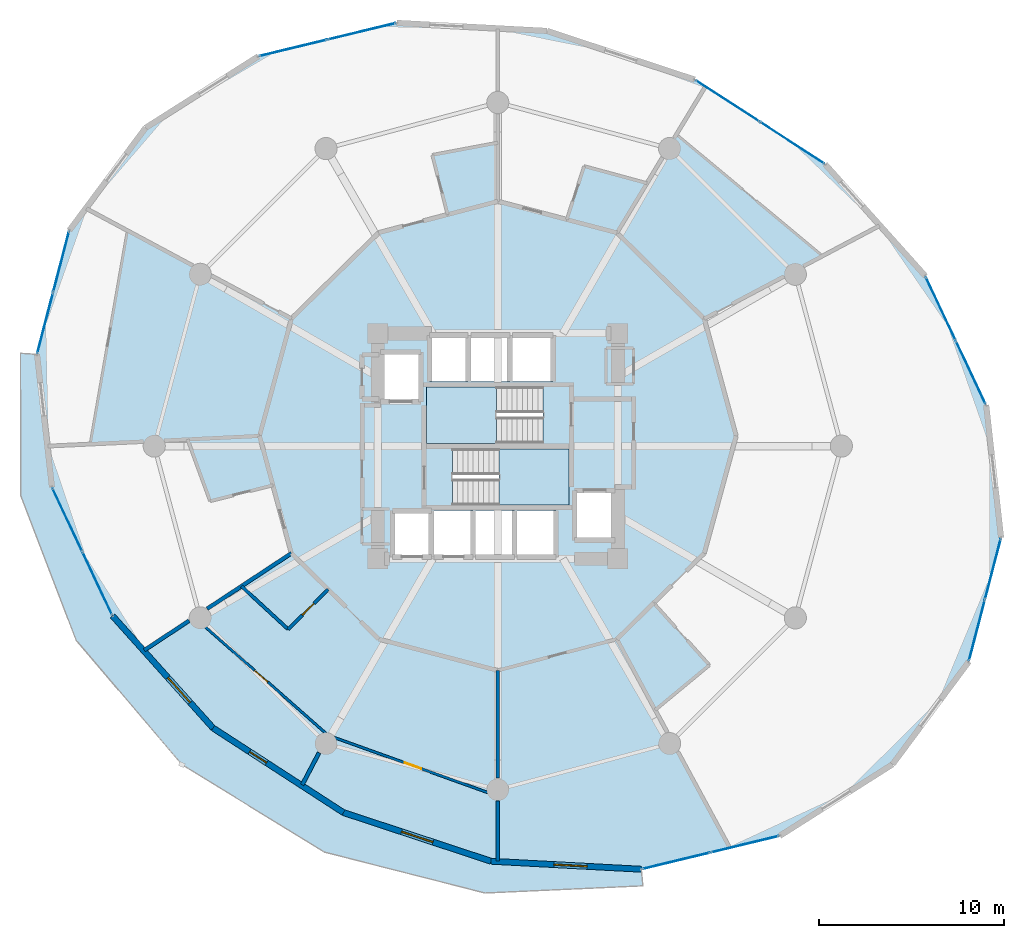
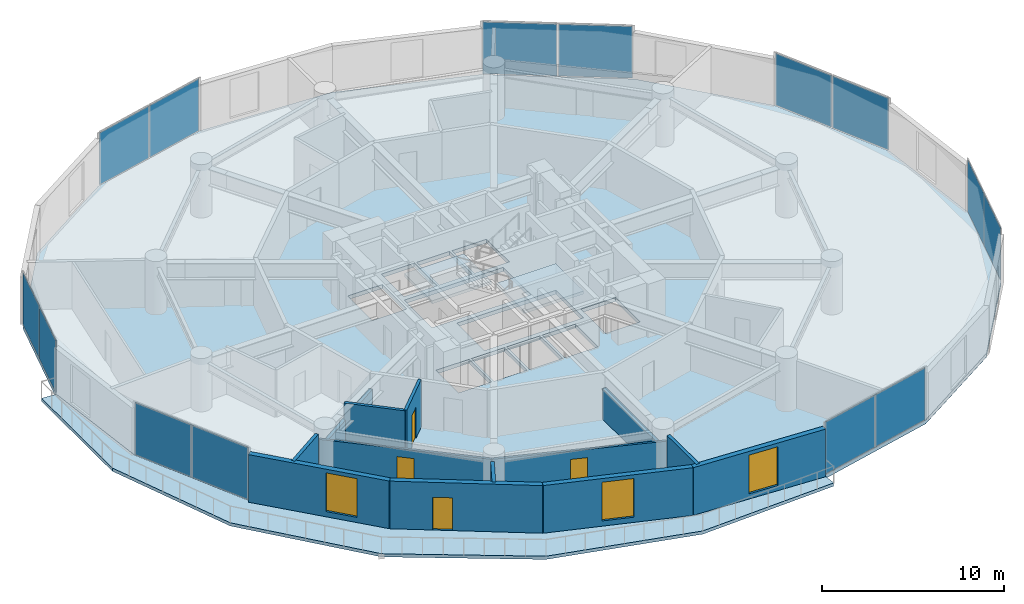
# One storey, part 18 of 24: 14 plates, 13 walls, 4 doors, 4 slabs, 3 windows, 7 openings, 9 elements without a shape of their own.
"""IFC4 building model written with IfcOpenShell, lengths in metres."""

from ifc_helpers import new_model, si_unit, direction, frame, frame_2d, origin, origin_2d, place, context, subcontext, project, spatial, polyline, rectangle, outline, extrude, source, transform, mapped, material, layer, layer_set, type_object, element, fill, aggregate, save


model = new_model("IFC4")

# Units and contexts
model_context = context("Model", 3, precision=1e-05, world=origin(), true_north=direction((0.0, 1.0)))
body_context = subcontext(model_context, "Body", "Model", "MODEL_VIEW")
ifc_project = project(units=[si_unit("LENGTHUNIT", "METRE"), si_unit("AREAUNIT", "SQUARE_METRE"), si_unit("VOLUMEUNIT", "CUBIC_METRE"), si_unit("PLANEANGLEUNIT", "RADIAN"), si_unit("MASSUNIT", "GRAM", prefix="KILO")], contexts=[model_context])

# Site, building, storey
site_placement = place(None, origin())
site = spatial("IfcSite", under=ifc_project, at=site_placement, CompositionType="ELEMENT")
building_placement = place(site_placement, origin())
building = spatial("IfcBuilding", under=site, at=building_placement, Name="Solvirekh Grand Hotel", CompositionType="ELEMENT")
storey_placement = place(building_placement, frame((0.0, 0.0, 89.60009765625)))
storey = spatial("IfcBuildingStorey", under=building, at=storey_placement, Name="L22", CompositionType="ELEMENT", Elevation=89.60009765625)

# Slab
ifc_material_1 = material(Name="Concrete C50/60", Category="concrete")
ifc_layer_1 = layer(ifc_material_1, 0.215087890625)
ifc_layer_set_1 = layer_set([ifc_layer_1], Name="Concrete C50/60")
slab_type_1 = type_object("IfcSlabType", Name="ExtCrescentBalc_215", PredefinedType="FLOOR", material=ifc_layer_set_1)
slab_1_placement = place(storey_placement, frame((0.0, 0.0, -0.215087890625)))
element("IfcSlab", 1, at=slab_1_placement, inside=storey, type_object=slab_type_1, Name="L22 sweeping crescent balcony slab", PredefinedType="FLOOR", context=body_context, shape_type="SweptSolid", body=[
    extrude(outline(polyline([(-25.843017578125, 5.02490234375), (-25.818115234375, -2.7099609375), (-22.824951171875, -10.512939453125), (-17.10107421875, -17.242919921875), (-9.381103515625, -21.97998046875), (-0.693115234375, -24.194091796875), (7.85107421875, -23.804931640625), (7.77197265625, -22.907958984375), (-0.365966796875, -22.47412109375), (-8.35595703125, -19.840087890625), (-15.4150390625, -15.263916015625), (-20.85302734375, -9.194091796875), (-24.136962890625, -2.22412109375), (-24.945068359375, 4.964111328125), (-25.843017578125, 5.02490234375)])), origin(), (0.0, 0.0, 1.0), 0.215087890625),
])

# Stair, slab
ifc_material_2 = material(Name="Concrete C40/50", Category="concrete")
stair_type = type_object("IfcStairType", Name="Stair_Core_1450", PredefinedType="HALF_TURN_STAIR", material=ifc_material_2)
stair_1_placement = place(storey_placement, origin())
stair_1 = element("IfcStair", 2, at=stair_1_placement, inside=storey, type_object=stair_type, Name="L22 Enclosed exit stair ST-1", PredefinedType="HALF_TURN_STAIR")
ifc_layer_2 = layer(ifc_material_2, 0.199951171875)
ifc_layer_set_2 = layer_set([ifc_layer_2], Name="Concrete C40/50")
slab_type_2 = type_object("IfcSlabType", Name="Landing_Stair_200", PredefinedType="LANDING", material=ifc_layer_set_2)
slab_2_placement = place(storey_placement, frame((0.0, 0.0, 1.599853515625)))
slab_2 = element("IfcSlab", 3, at=slab_2_placement, type_object=slab_type_2, Name="ST-1 landing 1", PredefinedType="LANDING", context=body_context, shape_type="SweptSolid", body=[
    extrude(outline(polyline([(0.070068359375, -3.199951171875), (3.85009765625, -3.199951171875), (3.85009765625, -0.14990234375), (0.070068359375, -0.14990234375), (0.070068359375, -3.199951171875)])), origin(), (0.0, 0.0, 1.0), 0.199951171875),
])
aggregate(stair_1, [slab_2])

stair_2_placement = place(storey_placement, origin())
stair_2 = element("IfcStair", 4, at=stair_2_placement, inside=storey, type_object=stair_type, Name="L22 Enclosed exit stair ST-2", PredefinedType="HALF_TURN_STAIR")
slab_3_placement = place(storey_placement, frame((0.0, 0.0, 1.599853515625)))
slab_3 = element("IfcSlab", 5, at=slab_3_placement, type_object=slab_type_2, Name="ST-2 landing 1", PredefinedType="LANDING", context=body_context, shape_type="SweptSolid", body=[
    extrude(outline(polyline([(-0.070068359375, 3.199951171875), (-3.85009765625, 3.199951171875), (-3.85009765625, 0.14990234375), (-0.070068359375, 0.14990234375), (-0.070068359375, 3.199951171875)])), origin(), (0.0, 0.0, 1.0), 0.199951171875),
])
aggregate(stair_2, [slab_3])

# Slab
ifc_layer_3 = layer(ifc_material_1, 0.260009765625)
ifc_layer_set_3 = layer_set([ifc_layer_3], Name="Concrete C50/60")
slab_type_3 = type_object("IfcSlabType", Name="Slab_GuestZ1_260", PredefinedType="FLOOR", material=ifc_layer_set_3)
slab_4_placement = place(storey_placement, frame((0.0, 0.0, -0.260009765625)))
element("IfcSlab", 6, at=slab_4_placement, inside=storey, type_object=slab_type_3, Name="L22 structural floor slab", PredefinedType="FLOOR", context=body_context, shape_type="SweptSolid", body=[
    extrude(outline(polyline([(25.4990234375, -11.666015625), (27.2451171875, -4.964111328125), (26.43701171875, 2.22412109375), (23.153076171875, 9.194091796875), (17.715087890625, 15.263916015625), (10.656005859375, 19.840087890625), (2.666015625, 22.47412109375), (-5.471923828125, 22.907958984375), (-12.9619140625, 21.10009765625), (-19.070068359375, 17.22607421875), (-23.198974609375, 11.666015625), (-24.945068359375, 4.964111328125), (-24.136962890625, -2.22412109375), (-20.85302734375, -9.194091796875), (-15.4150390625, -15.263916015625), (-8.35595703125, -19.840087890625), (-0.365966796875, -22.47412109375), (7.77197265625, -22.907958984375), (15.261962890625, -21.10009765625), (21.3701171875, -17.22607421875), (25.4990234375, -11.666015625)]), holes=[polyline([(-2.444091796875, -0.14990234375), (3.85009765625, -0.14990234375), (3.85009765625, -3.199951171875), (-2.444091796875, -3.199951171875), (-2.444091796875, -0.14990234375)]), polyline([(2.444091796875, 0.14990234375), (-3.85009765625, 0.14990234375), (-3.85009765625, 3.199951171875), (2.444091796875, 3.199951171875), (2.444091796875, 0.14990234375)]), polyline([(-5.699951171875, -3.5), (-3.60009765625, -3.5), (-3.60009765625, -6.0), (-5.699951171875, -6.0), (-5.699951171875, -3.5)]), polyline([(-3.449951171875, -3.5), (-1.35009765625, -3.5), (-1.35009765625, -6.0), (-3.449951171875, -6.0), (-3.449951171875, -3.5)]), polyline([(-1.199951171875, -3.5), (0.89990234375, -3.5), (0.89990234375, -6.0), (-1.199951171875, -6.0), (-1.199951171875, -3.5)]), polyline([(1.050048828125, -3.5), (3.14990234375, -3.5), (3.14990234375, -6.0), (1.050048828125, -6.0), (1.050048828125, -3.5)]), polyline([(-3.699951171875, 6.0), (-1.60009765625, 6.0), (-1.60009765625, 3.5), (-3.699951171875, 3.5), (-3.699951171875, 6.0)]), polyline([(-1.449951171875, 6.0), (0.64990234375, 6.0), (0.64990234375, 3.5), (-1.449951171875, 3.5), (-1.449951171875, 6.0)]), polyline([(0.800048828125, 6.0), (3.0, 6.0), (3.0, 3.5), (0.800048828125, 3.5), (0.800048828125, 6.0)]), polyline([(-6.35009765625, 5.10009765625), (-4.14990234375, 5.10009765625), (-4.14990234375, 2.39990234375), (-6.35009765625, 2.39990234375), (-6.35009765625, 5.10009765625)]), polyline([(4.14990234375, -2.39990234375), (6.35009765625, -2.39990234375), (6.35009765625, -5.10009765625), (4.14990234375, -5.10009765625), (4.14990234375, -2.39990234375)])]), origin(), (0.0, 0.0, 1.0), 0.260009765625),
])

# Curtain wall, plates
ifc_material_3 = material(Name="Anodized Bronze Aluminium 6063-T6", Category="aluminium")
ifc_layer_4 = layer(ifc_material_3, 0.18994140625)
ifc_layer_set_4 = layer_set([ifc_layer_4], Name="Anodized Bronze Aluminium 6063-T6")
curtain_wall_type = type_object("IfcCurtainWallType", Name="CW_Sys2_LowZoneFlushBronzeCW", PredefinedType="NOTDEFINED", material=ifc_layer_set_4)
curtain_wall_1_placement = place(storey_placement, origin())
curtain_wall_1 = element("IfcCurtainWall", 7, at=curtain_wall_1_placement, inside=storey, type_object=curtain_wall_type, Name="L22 unitised bronze-glass curtain wall CW-L22-C03", PredefinedType="NOTDEFINED")
ifc_material_4 = material(Name="Low-E Tinted Bronze Laminated Glass", Category="aluminium")
ifc_layer_5 = layer(ifc_material_4, 0.0380859375)
ifc_layer_set_5 = layer_set([ifc_layer_5], Name="Low-E Tinted Bronze Laminated Glass")
plate_type = type_object("IfcPlateType", Name="CWPanel_Low_38", PredefinedType="CURTAIN_PANEL", material=ifc_layer_set_5)
shared_shape_1 = source(origin(), body_context, "Body", "SweptSolid", [
    extrude(rectangle(XDim=3.74755859375, YDim=0.0380859375, at=origin_2d()), origin(), (0.0, 0.0, 1.0), 3.47998046875),
])
plate_1_placement = place(storey_placement, frame((25.608642578125, 3.982421875, 0.059814453125), z_axis=(0.0, 0.0, 1.0), x_axis=(-0.426222015702, 0.904618589977, 0.0)))
plate_1 = element("IfcPlate", 8, at=plate_1_placement, type_object=plate_type, Name="U02 panel 1.1", PredefinedType="CURTAIN_PANEL", context=body_context, shape_type="MappedRepresentation", body=[
    mapped(shared_shape_1, transform((0.0, 0.0, 0.0), x_axis=(1.0, 0.0, 0.0), y_axis=(0.0, 1.0, 0.0), z_axis=(0.0, 0.0, 1.0), scale=1.0)),
])
plate_2_placement = place(storey_placement, frame((23.9814453125, 7.435791015625, 0.059814453125), z_axis=(0.0, 0.0, 1.0), x_axis=(-0.426222015702, 0.904618589977, 0.0)))
plate_2 = element("IfcPlate", 9, at=plate_2_placement, type_object=plate_type, Name="U02 panel 2.1", PredefinedType="CURTAIN_PANEL", context=body_context, shape_type="MappedRepresentation", body=[
    mapped(shared_shape_1, transform((0.0, 0.0, 0.0), x_axis=(1.0, 0.0, 0.0), y_axis=(0.0, 1.0, 0.0), z_axis=(0.0, 0.0, 1.0), scale=1.0)),
])
aggregate(curtain_wall_1, [plate_1, plate_2])

curtain_wall_2_placement = place(storey_placement, origin())
curtain_wall_2 = element("IfcCurtainWall", 10, at=curtain_wall_2_placement, inside=storey, type_object=curtain_wall_type, Name="L22 unitised bronze-glass curtain wall CW-L22-C08", PredefinedType="NOTDEFINED")
plate_3_placement = place(storey_placement, frame((-7.361572265625, 22.451904296875, 0.059814453125), z_axis=(0.0, 0.0, 1.0), x_axis=(-0.972080166994, -0.234648990915, 0.0)))
plate_3 = element("IfcPlate", 11, at=plate_3_placement, type_object=plate_type, Name="U02 panel 1.1", PredefinedType="CURTAIN_PANEL", context=body_context, shape_type="MappedRepresentation", body=[
    mapped(shared_shape_1, transform((0.0, 0.0, 0.0), x_axis=(1.0, 0.0, 0.0), y_axis=(0.0, 1.0, 0.0), z_axis=(0.0, 0.0, 1.0), scale=1.0)),
])
plate_4_placement = place(storey_placement, frame((-11.072509765625, 21.55615234375, 0.059814453125), z_axis=(0.0, 0.0, 1.0), x_axis=(-0.972080166994, -0.234648990915, 0.0)))
plate_4 = element("IfcPlate", 12, at=plate_4_placement, type_object=plate_type, Name="U02 panel 2.1", PredefinedType="CURTAIN_PANEL", context=body_context, shape_type="MappedRepresentation", body=[
    mapped(shared_shape_1, transform((0.0, 0.0, 0.0), x_axis=(1.0, 0.0, 0.0), y_axis=(0.0, 1.0, 0.0), z_axis=(0.0, 0.0, 1.0), scale=1.0)),
])
aggregate(curtain_wall_2, [plate_3, plate_4])

curtain_wall_3_placement = place(storey_placement, origin())
curtain_wall_3 = element("IfcCurtainWall", 13, at=curtain_wall_3_placement, inside=storey, type_object=curtain_wall_type, Name="L22 unitised bronze-glass curtain wall CW-L22-C13", PredefinedType="NOTDEFINED")
plate_5_placement = place(storey_placement, frame((-23.30859375, -3.982421875, 0.059814453125), z_axis=(0.0, 0.0, 1.0), x_axis=(0.426222015702, -0.904618589977, 0.0)))
plate_5 = element("IfcPlate", 14, at=plate_5_placement, type_object=plate_type, Name="U02 panel 1.1", PredefinedType="CURTAIN_PANEL", context=body_context, shape_type="MappedRepresentation", body=[
    mapped(shared_shape_1, transform((0.0, 0.0, 0.0), x_axis=(1.0, 0.0, 0.0), y_axis=(0.0, 1.0, 0.0), z_axis=(0.0, 0.0, 1.0), scale=1.0)),
])
plate_6_placement = place(storey_placement, frame((-21.681396484375, -7.435791015625, 0.059814453125), z_axis=(0.0, 0.0, 1.0), x_axis=(0.426222015702, -0.904618589977, 0.0)))
plate_6 = element("IfcPlate", 15, at=plate_6_placement, type_object=plate_type, Name="U02 panel 2.1", PredefinedType="CURTAIN_PANEL", context=body_context, shape_type="MappedRepresentation", body=[
    mapped(shared_shape_1, transform((0.0, 0.0, 0.0), x_axis=(1.0, 0.0, 0.0), y_axis=(0.0, 1.0, 0.0), z_axis=(0.0, 0.0, 1.0), scale=1.0)),
])
aggregate(curtain_wall_3, [plate_5, plate_6])

curtain_wall_4_placement = place(storey_placement, origin())
curtain_wall_4 = element("IfcCurtainWall", 16, at=curtain_wall_4_placement, inside=storey, type_object=curtain_wall_type, Name="L22 unitised bronze-glass curtain wall CW-L22-C18", PredefinedType="NOTDEFINED")
plate_7_placement = place(storey_placement, frame((9.66162109375, -22.451904296875, 0.059814453125), z_axis=(0.0, 0.0, 1.0), x_axis=(0.972080166994, 0.234648990915, 0.0)))
plate_7 = element("IfcPlate", 17, at=plate_7_placement, type_object=plate_type, Name="U02 panel 1.1", PredefinedType="CURTAIN_PANEL", context=body_context, shape_type="MappedRepresentation", body=[
    mapped(shared_shape_1, transform((0.0, 0.0, 0.0), x_axis=(1.0, 0.0, 0.0), y_axis=(0.0, 1.0, 0.0), z_axis=(0.0, 0.0, 1.0), scale=1.0)),
])
plate_8_placement = place(storey_placement, frame((13.37255859375, -21.55615234375, 0.059814453125), z_axis=(0.0, 0.0, 1.0), x_axis=(0.972080166994, 0.234648990915, 0.0)))
plate_8 = element("IfcPlate", 18, at=plate_8_placement, type_object=plate_type, Name="U02 panel 2.1", PredefinedType="CURTAIN_PANEL", context=body_context, shape_type="MappedRepresentation", body=[
    mapped(shared_shape_1, transform((0.0, 0.0, 0.0), x_axis=(1.0, 0.0, 0.0), y_axis=(0.0, 1.0, 0.0), z_axis=(0.0, 0.0, 1.0), scale=1.0)),
])
aggregate(curtain_wall_4, [plate_7, plate_8])

curtain_wall_5_placement = place(storey_placement, origin())
curtain_wall_5 = element("IfcCurtainWall", 19, at=curtain_wall_5_placement, inside=storey, type_object=curtain_wall_type, Name="L22 unitised bronze-glass curtain wall CW-L22-C01", PredefinedType="NOTDEFINED")
shared_shape_2 = source(origin(), body_context, "Body", "SweptSolid", [
    extrude(rectangle(XDim=3.35791015625, YDim=0.0380859375, at=origin_2d()), origin(), (0.0, 0.0, 1.0), 3.47998046875),
])
plate_9_placement = place(storey_placement, frame((25.93994140625, -9.9736328125, 0.059814453125), z_axis=(0.0, 0.0, 1.0), x_axis=(0.252104481701, 0.967700020826, 0.0)))
plate_9 = element("IfcPlate", 20, at=plate_9_placement, type_object=plate_type, Name="U02 panel 1.1", PredefinedType="CURTAIN_PANEL", context=body_context, shape_type="MappedRepresentation", body=[
    mapped(shared_shape_2, transform((0.0, 0.0, 0.0), x_axis=(1.0, 0.0, 0.0), y_axis=(0.0, 1.0, 0.0), z_axis=(0.0, 0.0, 1.0), scale=1.0)),
])
plate_10_placement = place(storey_placement, frame((26.80419921875, -6.656494140625, 0.059814453125), z_axis=(0.0, 0.0, 1.0), x_axis=(0.252104481701, 0.967700020826, 0.0)))
plate_10 = element("IfcPlate", 21, at=plate_10_placement, type_object=plate_type, Name="U02 panel 2.1", PredefinedType="CURTAIN_PANEL", context=body_context, shape_type="MappedRepresentation", body=[
    mapped(shared_shape_2, transform((0.0, 0.0, 0.0), x_axis=(1.0, 0.0, 0.0), y_axis=(0.0, 1.0, 0.0), z_axis=(0.0, 0.0, 1.0), scale=1.0)),
])
aggregate(curtain_wall_5, [plate_9, plate_10])

curtain_wall_6_placement = place(storey_placement, origin())
curtain_wall_6 = element("IfcCurtainWall", 22, at=curtain_wall_6_placement, inside=storey, type_object=curtain_wall_type, Name="L22 unitised bronze-glass curtain wall CW-L22-C11", PredefinedType="NOTDEFINED")
plate_11_placement = place(storey_placement, frame((-23.639892578125, 9.9736328125, 0.059814453125), z_axis=(0.0, 0.0, 1.0), x_axis=(-0.252104481701, -0.967700020826, 0.0)))
plate_11 = element("IfcPlate", 23, at=plate_11_placement, type_object=plate_type, Name="U02 panel 1.1", PredefinedType="CURTAIN_PANEL", context=body_context, shape_type="MappedRepresentation", body=[
    mapped(shared_shape_2, transform((0.0, 0.0, 0.0), x_axis=(1.0, 0.0, 0.0), y_axis=(0.0, 1.0, 0.0), z_axis=(0.0, 0.0, 1.0), scale=1.0)),
])
plate_12_placement = place(storey_placement, frame((-24.504150390625, 6.656494140625, 0.059814453125), z_axis=(0.0, 0.0, 1.0), x_axis=(-0.252104481701, -0.967700020826, 0.0)))
plate_12 = element("IfcPlate", 24, at=plate_12_placement, type_object=plate_type, Name="U02 panel 2.1", PredefinedType="CURTAIN_PANEL", context=body_context, shape_type="MappedRepresentation", body=[
    mapped(shared_shape_2, transform((0.0, 0.0, 0.0), x_axis=(1.0, 0.0, 0.0), y_axis=(0.0, 1.0, 0.0), z_axis=(0.0, 0.0, 1.0), scale=1.0)),
])
aggregate(curtain_wall_6, [plate_11, plate_12])

curtain_wall_7_placement = place(storey_placement, origin())
curtain_wall_7 = element("IfcCurtainWall", 25, at=curtain_wall_7_placement, inside=storey, type_object=curtain_wall_type, Name="L22 unitised bronze-glass curtain wall CW-L22-C05", PredefinedType="NOTDEFINED")
shared_shape_3 = source(origin(), body_context, "Body", "SweptSolid", [
    extrude(rectangle(XDim=4.101318359375, YDim=0.0380859375, at=origin_2d()), origin(), (0.0, 0.0, 1.0), 3.47998046875),
])
plate_13_placement = place(storey_placement, frame((15.935546875, 16.41748046875, 0.059814453125), z_axis=(0.0, 0.0, 1.0), x_axis=(-0.839113800713, 0.543955907637, 0.0)))
plate_13 = element("IfcPlate", 26, at=plate_13_placement, type_object=plate_type, Name="U02 panel 1.1", PredefinedType="CURTAIN_PANEL", context=body_context, shape_type="MappedRepresentation", body=[
    mapped(shared_shape_3, transform((0.0, 0.0, 0.0), x_axis=(1.0, 0.0, 0.0), y_axis=(0.0, 1.0, 0.0), z_axis=(0.0, 0.0, 1.0), scale=1.0)),
])
plate_14_placement = place(storey_placement, frame((12.435546875, 18.6865234375, 0.059814453125), z_axis=(0.0, 0.0, 1.0), x_axis=(-0.839113800713, 0.543955907637, 0.0)))
plate_14 = element("IfcPlate", 27, at=plate_14_placement, type_object=plate_type, Name="U02 panel 2.1", PredefinedType="CURTAIN_PANEL", context=body_context, shape_type="MappedRepresentation", body=[
    mapped(shared_shape_3, transform((0.0, 0.0, 0.0), x_axis=(1.0, 0.0, 0.0), y_axis=(0.0, 1.0, 0.0), z_axis=(0.0, 0.0, 1.0), scale=1.0)),
])
aggregate(curtain_wall_7, [plate_13, plate_14])

# Wall, opening, window
ifc_material_5 = material(Name="Precast concrete C45/55", Category="concrete")
ifc_layer_6 = layer(ifc_material_5, 0.320068359375)
ifc_layer_set_6 = layer_set([ifc_layer_6], Name="Precast concrete C45/55")
wall_type_1 = type_object("IfcWallType", Name="ExtLobbyWall_RC320", PredefinedType="SOLIDWALL", material=ifc_layer_set_6)
wall_1_placement = place(storey_placement, frame((-15.4150390625, -15.263916015625, 0.0), z_axis=(0.0, 0.0, 1.0), x_axis=(-0.667278098427, 0.744808659563, 0.0)))
wall_1 = element("IfcWall", 28, at=wall_1_placement, inside=storey, type_object=wall_type_1, Name="L22 exterior structural wall chord 14", PredefinedType="SOLIDWALL", context=body_context, shape_type="SweptSolid", body=[
    extrude(rectangle(XDim=8.1494140625, YDim=0.320068359375, at=frame_2d((4.07470703125, 0.0))), origin(), (0.0, 0.0, 1.0), 3.199951171875),
])
opening_1_placement = place(wall_1_placement, frame((1.862060546875, 0.0, 0.35009765625)))
opening_1 = element("IfcOpeningElement", 29, at=opening_1_placement, cuts=wall_1, Name="Opening W02", PredefinedType="OPENING", context=body_context, shape_type="SweptSolid", body=[
    extrude(rectangle(XDim=1.800048828125, YDim=2.60009765625, at=frame_2d((0.89990234375, 1.300048828125))), frame((0.0, 0.169921875, 0.0), z_axis=(0.0, -1.0, 0.0), x_axis=(1.0, 0.0, 0.0)), (0.0, 0.0, 1.0), 0.340087890625),
])
window_type = type_object("IfcWindowType", Name="Win_LobbyExt_1800X2600", PartitioningType="SINGLE_PANEL", PredefinedType="WINDOW", material=ifc_material_4)
window_1_placement = place(opening_1_placement, origin())
window_1 = element("IfcWindow", 30, at=window_1_placement, inside=storey, type_object=window_type, Name="L22 panoramic bronze-framed window 14", OverallHeight=2.60009765625, OverallWidth=1.800048828125, PartitioningType="SINGLE_PANEL", PredefinedType="WINDOW", context=body_context, shape_type="SweptSolid", body=[
    extrude(rectangle(XDim=1.800048828125, YDim=2.60009765625, at=frame_2d((0.89990234375, 1.300048828125))), frame((0.0, 0.030029296875, 0.0), z_axis=(0.0, -1.0, 0.0), x_axis=(1.0, 0.0, 0.0)), (0.0, 0.0, 1.0), 0.06005859375),
])
fill(opening_1, window_1)

# Wall, opening, door
wall_2_placement = place(storey_placement, frame((-8.35595703125, -19.840087890625, 0.0), z_axis=(0.0, 0.0, 1.0), x_axis=(-0.839107360471, 0.543965842314, 0.0)))
wall_2 = element("IfcWall", 31, at=wall_2_placement, inside=storey, type_object=wall_type_1, Name="L22 exterior structural wall chord 15", PredefinedType="SOLIDWALL", context=body_context, shape_type="SweptSolid", body=[
    extrude(rectangle(XDim=8.41259765625, YDim=0.320068359375, at=frame_2d((4.206298828125, 0.0))), origin(), (0.0, 0.0, 1.0), 3.199951171875),
])
opening_2_placement = place(wall_2_placement, frame((4.950927734375, 0.0, 0.0)))
opening_2 = element("IfcOpeningElement", 32, at=opening_2_placement, cuts=wall_2, Name="Opening D03", PredefinedType="OPENING", context=body_context, shape_type="SweptSolid", body=[
    extrude(rectangle(XDim=1.10009765625, YDim=2.199951171875, at=frame_2d((0.550048828125, 1.10009765625))), frame((0.0, 0.169921875, 0.0), z_axis=(0.0, -1.0, 0.0), x_axis=(1.0, 0.0, 0.0)), (0.0, 0.0, 1.0), 0.340087890625),
])
door_type_1 = type_object("IfcDoorType", Name="Door_ExtBalcony_1100X2200", OperationType="NOTDEFINED", PredefinedType="DOOR", material=ifc_material_3)
door_1_placement = place(opening_2_placement, origin())
door_1 = element("IfcDoor", 33, at=door_1_placement, inside=storey, type_object=door_type_1, Name="L22 Crescent balcony glazed door (15)", OperationType="SINGLE_SWING_RIGHT", OverallHeight=2.199951171875, OverallWidth=1.10009765625, PredefinedType="DOOR", context=body_context, shape_type="SweptSolid", body=[
    extrude(rectangle(XDim=1.10009765625, YDim=2.199951171875, at=frame_2d((0.550048828125, 1.10009765625))), frame((0.0, 0.02490234375, 0.0), z_axis=(0.0, -1.0, 0.0), x_axis=(1.0, 0.0, 0.0)), (0.0, 0.0, 1.0), 0.050048828125),
])
fill(opening_2, door_1)

# Wall, opening, window
wall_3_placement = place(storey_placement, frame((-0.365966796875, -22.47412109375, 0.0), z_axis=(0.0, 0.0, 1.0), x_axis=(-0.949722824856, 0.313091928908, 0.0)))
wall_3 = element("IfcWall", 34, at=wall_3_placement, inside=storey, type_object=wall_type_1, Name="L22 exterior structural wall chord 16", PredefinedType="SOLIDWALL", context=body_context, shape_type="SweptSolid", body=[
    extrude(rectangle(XDim=8.4130859375, YDim=0.320068359375, at=frame_2d((4.20654296875, 0.0))), origin(), (0.0, 0.0, 1.0), 3.199951171875),
])
opening_3_placement = place(wall_3_placement, frame((3.305908203125, 0.0, 0.35009765625)))
opening_3 = element("IfcOpeningElement", 35, at=opening_3_placement, cuts=wall_3, Name="Opening W02", PredefinedType="OPENING", context=body_context, shape_type="SweptSolid", body=[
    extrude(rectangle(XDim=1.800048828125, YDim=2.60009765625, at=frame_2d((0.89990234375, 1.300048828125))), frame((0.0, 0.169921875, 0.0), z_axis=(0.0, -1.0, 0.0), x_axis=(1.0, 0.0, 0.0)), (0.0, 0.0, 1.0), 0.340087890625),
])
window_2_placement = place(opening_3_placement, origin())
window_2 = element("IfcWindow", 36, at=window_2_placement, inside=storey, type_object=window_type, Name="L22 panoramic bronze-framed window 16", OverallHeight=2.60009765625, OverallWidth=1.800048828125, PartitioningType="SINGLE_PANEL", PredefinedType="WINDOW", context=body_context, shape_type="SweptSolid", body=[
    extrude(rectangle(XDim=1.800048828125, YDim=2.60009765625, at=frame_2d((0.89990234375, 1.300048828125))), frame((0.0, 0.030029296875, 0.0), z_axis=(0.0, -1.0, 0.0), x_axis=(1.0, 0.0, 0.0)), (0.0, 0.0, 1.0), 0.06005859375),
])
fill(opening_3, window_2)

wall_4_placement = place(storey_placement, frame((7.77197265625, -22.907958984375, 0.0), z_axis=(0.0, 0.0, 1.0), x_axis=(-0.998582015263, 0.053234939583, 0.0)))
wall_4 = element("IfcWall", 37, at=wall_4_placement, inside=storey, type_object=wall_type_1, Name="L22 exterior structural wall chord 17", PredefinedType="SOLIDWALL", context=body_context, shape_type="SweptSolid", body=[
    extrude(rectangle(XDim=8.1494140625, YDim=0.320068359375, at=frame_2d((4.07470703125, 0.0))), origin(), (0.0, 0.0, 1.0), 3.199951171875),
])
opening_4_placement = place(wall_4_placement, frame((2.943115234375, 0.0, 0.35009765625)))
opening_4 = element("IfcOpeningElement", 38, at=opening_4_placement, cuts=wall_4, Name="Opening W02", PredefinedType="OPENING", context=body_context, shape_type="SweptSolid", body=[
    extrude(rectangle(XDim=1.800048828125, YDim=2.60009765625, at=frame_2d((0.89990234375, 1.300048828125))), frame((0.0, 0.169921875, 0.0), z_axis=(0.0, -1.0, 0.0), x_axis=(1.0, 0.0, 0.0)), (0.0, 0.0, 1.0), 0.340087890625),
])
window_3_placement = place(opening_4_placement, origin())
window_3 = element("IfcWindow", 39, at=window_3_placement, inside=storey, type_object=window_type, Name="L22 panoramic bronze-framed window 17", OverallHeight=2.60009765625, OverallWidth=1.800048828125, PartitioningType="SINGLE_PANEL", PredefinedType="WINDOW", context=body_context, shape_type="SweptSolid", body=[
    extrude(rectangle(XDim=1.800048828125, YDim=2.60009765625, at=frame_2d((0.89990234375, 1.300048828125))), frame((0.0, 0.030029296875, 0.0), z_axis=(0.0, -1.0, 0.0), x_axis=(1.0, 0.0, 0.0)), (0.0, 0.0, 1.0), 0.06005859375),
])
fill(opening_4, window_3)

# Wall, opening, door
ifc_material_6 = material(Name="Acoustic Gypsum Partition Assembly")
ifc_layer_7 = layer(ifc_material_6, 0.135009765625)
ifc_layer_set_7 = layer_set([ifc_layer_7], Name="Acoustic Gypsum Partition Assembly")
wall_type_2 = type_object("IfcWallType", Name="Part_RoomInt_135", PredefinedType="PARTITIONING", material=ifc_layer_set_7)
wall_5_placement = place(storey_placement, frame((-16.429931640625, -9.263916015625, 0.0), z_axis=(0.0, 0.0, 1.0), x_axis=(0.749748657473, -0.661722714297, 0.0)))
wall_5 = element("IfcWall", 40, at=wall_5_placement, inside=storey, type_object=wall_type_2, Name="L22 Executive Suite 2405 Living Room bedroom screen wall", PredefinedType="PARTITIONING", context=body_context, shape_type="SweptSolid", body=[
    extrude(rectangle(XDim=9.665771484375, YDim=0.135009765625, at=frame_2d((4.8330078125, 0.0))), origin(), (0.0, 0.0, 1.0), 2.65283203125),
])
opening_5_placement = place(wall_5_placement, frame((4.35791015625, 0.0, 0.0)))
opening_5 = element("IfcOpeningElement", 41, at=opening_5_placement, cuts=wall_5, Name="Opening D10", PredefinedType="OPENING", context=body_context, shape_type="SweptSolid", body=[
    extrude(rectangle(XDim=0.949951171875, YDim=2.10009765625, at=frame_2d((0.47509765625, 1.050048828125))), frame((0.0, 0.07763671875, 0.0), z_axis=(0.0, -1.0, 0.0), x_axis=(1.0, 0.0, 0.0)), (0.0, 0.0, 1.0), 0.155029296875),
])
door_type_2 = type_object("IfcDoorType", Name="Door_RoomInt_950X2100", OperationType="NOTDEFINED", PredefinedType="DOOR", material=ifc_material_3)
door_2_placement = place(opening_5_placement, origin())
door_2 = element("IfcDoor", 42, at=door_2_placement, inside=storey, type_object=door_type_2, Name="L22 Executive Suite 2405 Living Room master bedroom door", OperationType="SINGLE_SWING_LEFT", OverallHeight=2.10009765625, OverallWidth=0.949951171875, PredefinedType="DOOR", context=body_context, shape_type="SweptSolid", body=[
    extrude(rectangle(XDim=0.949951171875, YDim=2.10009765625, at=frame_2d((0.47509765625, 1.050048828125))), frame((0.0, 0.02490234375, 0.0), z_axis=(0.0, -1.0, 0.0), x_axis=(1.0, 0.0, 0.0)), (0.0, 0.0, 1.0), 0.050048828125),
])
fill(opening_5, door_2)

wall_6_placement = place(storey_placement, frame((-9.18310546875, -15.659912109375, 0.0), z_axis=(0.0, 0.0, 1.0), x_axis=(0.941373300611, -0.337366727608, 0.0)))
wall_6 = element("IfcWall", 43, at=wall_6_placement, inside=storey, type_object=wall_type_2, Name="L22 Executive Suite 2405 Panorama Suite Study bedroom screen wall", PredefinedType="PARTITIONING", context=body_context, shape_type="SweptSolid", body=[
    extrude(rectangle(XDim=9.755126953125, YDim=0.135009765625, at=frame_2d((4.87744140625, 0.0))), origin(), (0.0, 0.0, 1.0), 2.65283203125),
])
opening_6_placement = place(wall_6_placement, frame((4.402099609375, 0.0, 0.0)))
opening_6 = element("IfcOpeningElement", 44, at=opening_6_placement, cuts=wall_6, Name="Opening D10", PredefinedType="OPENING", context=body_context, shape_type="SweptSolid", body=[
    extrude(rectangle(XDim=0.949951171875, YDim=2.10009765625, at=frame_2d((0.47509765625, 1.050048828125))), frame((0.0, 0.07763671875, 0.0), z_axis=(0.0, -1.0, 0.0), x_axis=(1.0, 0.0, 0.0)), (0.0, 0.0, 1.0), 0.155029296875),
])
door_3_placement = place(opening_6_placement, origin())
door_3 = element("IfcDoor", 45, at=door_3_placement, inside=storey, type_object=door_type_2, Name="L22 Executive Suite 2405 Panorama Suite Study master bedroom door", OperationType="SINGLE_SWING_RIGHT", OverallHeight=2.10009765625, OverallWidth=0.949951171875, PredefinedType="DOOR", context=body_context, shape_type="SweptSolid", body=[
    extrude(rectangle(XDim=0.949951171875, YDim=2.10009765625, at=frame_2d((0.47509765625, 1.050048828125))), frame((0.0, 0.02490234375, 0.0), z_axis=(0.0, -1.0, 0.0), x_axis=(1.0, 0.0, 0.0)), (0.0, 0.0, 1.0), 0.050048828125),
])
fill(opening_6, door_3)

# Walls
ifc_layer_8 = layer(ifc_material_6, 0.2099609375)
ifc_layer_set_8 = layer_set([ifc_layer_8], Name="Acoustic Gypsum Partition Assembly")
wall_type_3 = type_object("IfcWallType", Name="Part_SuiteDemise_210", PredefinedType="PARTITIONING", material=ifc_layer_set_8)
wall_7_placement = place(storey_placement, frame((-11.172119140625, -5.800048828125, 0.0), z_axis=(0.0, 0.0, 1.0), x_axis=(-0.835022135292, -0.550216351604, 0.0)))
element("IfcWall", 46, at=wall_7_placement, inside=storey, type_object=wall_type_3, Name="L22 suite radial wall 8 (A)", PredefinedType="PARTITIONING", context=body_context, shape_type="SweptSolid", body=[
    extrude(rectangle(XDim=5.463134765625, YDim=0.2099609375, at=frame_2d((2.7314453125, 0.0))), origin(), (0.0, 0.0, 1.0), 2.06689453125),
])
wall_8_placement = place(storey_placement, frame((-16.7099609375, -9.448974609375, 0.0), z_axis=(0.0, 0.0, 1.0), x_axis=(-0.834983630618, -0.550274782813, 0.0)))
element("IfcWall", 47, at=wall_8_placement, inside=storey, type_object=wall_type_3, Name="L22 suite radial wall 8 (B)", PredefinedType="PARTITIONING", context=body_context, shape_type="SweptSolid", body=[
    extrude(rectangle(XDim=2.90771484375, YDim=0.2099609375, at=frame_2d((1.453857421875, 0.0))), origin(), (0.0, 0.0, 1.0), 3.199951171875),
])
wall_9_placement = place(storey_placement, frame((0.0, -12.14990234375, 0.0), z_axis=(0.0, 0.0, 1.0), x_axis=(0.0, -1.0, 0.0)))
element("IfcWall", 48, at=wall_9_placement, inside=storey, type_object=wall_type_3, Name="L22 suite radial wall 10 (A)", PredefinedType="PARTITIONING", context=body_context, shape_type="SweptSolid", body=[
    extrude(rectangle(XDim=5.830078125, YDim=0.2099609375, at=frame_2d((2.9150390625, 0.0))), origin(), (0.0, 0.0, 1.0), 2.06689453125),
])
wall_10_placement = place(storey_placement, frame((0.0, -19.219970703125, 0.0), z_axis=(0.0, 0.0, 1.0), x_axis=(0.0, -1.0, 0.0)))
element("IfcWall", 49, at=wall_10_placement, inside=storey, type_object=wall_type_3, Name="L22 suite radial wall 10 (B)", PredefinedType="PARTITIONING", context=body_context, shape_type="SweptSolid", body=[
    extrude(rectangle(XDim=3.234130859375, YDim=0.2099609375, at=frame_2d((1.6171875, 0.0))), origin(), (0.0, 0.0, 1.0), 3.199951171875),
])
wall_11_placement = place(storey_placement, frame((-9.676025390625, -16.60107421875, 0.0), z_axis=(0.0, 0.0, 1.0), x_axis=(-0.46483632961, -0.885396626758, 0.0)))
element("IfcWall", 50, at=wall_11_placement, inside=storey, type_object=wall_type_3, Name="L22 Executive Suite 2405 Living Room dividing partition 1 (A)", PredefinedType="PARTITIONING", context=body_context, shape_type="SweptSolid", body=[
    extrude(rectangle(XDim=1.968505859375, YDim=0.2099609375, at=frame_2d((0.984375, 0.0))), origin(), (0.0, 0.0, 1.0), 3.199951171875),
])
ifc_layer_9 = layer(ifc_material_6, 0.175048828125)
ifc_layer_set_9 = layer_set([ifc_layer_9], Name="Acoustic Gypsum Partition Assembly")
wall_type_4 = type_object("IfcWallType", Name="Plumb_Ensuite_175", PredefinedType="PLUMBINGWALL", material=ifc_layer_set_9)
wall_12_placement = place(storey_placement, frame((-13.8798828125, -7.5849609375, 0.0), z_axis=(0.0, 0.0, 1.0), x_axis=(0.735412881507, -0.677619283752, 0.0)))
element("IfcWall", 51, at=wall_12_placement, inside=storey, type_object=wall_type_4, Name="L22 En-suite Bathroom 2405 outer plumbing wall", PredefinedType="PLUMBINGWALL", context=body_context, shape_type="SweptSolid", body=[
    extrude(rectangle(XDim=3.438720703125, YDim=0.175048828125, at=frame_2d((1.71923828125, 0.0))), origin(), (0.0, 0.0, 1.0), 3.199951171875),
])

# Wall, opening, door
wall_13_placement = place(storey_placement, frame((-9.18896484375, -7.7529296875, 0.0), z_axis=(0.0, 0.0, 1.0), x_axis=(-0.707106781187, -0.707106781187, 0.0)))
wall_13 = element("IfcWall", 52, at=wall_13_placement, inside=storey, type_object=wall_type_4, Name="L22 En-suite Bathroom 2405 entry plumbing wall", PredefinedType="PLUMBINGWALL", context=body_context, shape_type="SweptSolid", body=[
    extrude(rectangle(XDim=3.0576171875, YDim=0.175048828125, at=frame_2d((1.52880859375, 0.0))), origin(), (0.0, 0.0, 1.0), 3.199951171875),
])
opening_7_placement = place(wall_13_placement, frame((1.0791015625, 0.0, 0.0)))
opening_7 = element("IfcOpeningElement", 53, at=opening_7_placement, cuts=wall_13, Name="Opening D09", PredefinedType="OPENING", context=body_context, shape_type="SweptSolid", body=[
    extrude(rectangle(XDim=0.89990234375, YDim=2.10009765625, at=frame_2d((0.449951171875, 1.050048828125))), frame((0.0, 0.09765625, 0.0), z_axis=(0.0, -1.0, 0.0), x_axis=(1.0, 0.0, 0.0)), (0.0, 0.0, 1.0), 0.195068359375),
])
door_type_3 = type_object("IfcDoorType", Name="Door_Ensuite_900X2100", OperationType="NOTDEFINED", PredefinedType="DOOR", material=ifc_material_3)
door_4_placement = place(opening_7_placement, origin())
door_4 = element("IfcDoor", 54, at=door_4_placement, inside=storey, type_object=door_type_3, Name="L22 En-suite Bathroom 2405 door", OperationType="SINGLE_SWING_LEFT", OverallHeight=2.10009765625, OverallWidth=0.89990234375, PredefinedType="DOOR", context=body_context, shape_type="SweptSolid", body=[
    extrude(rectangle(XDim=0.89990234375, YDim=2.10009765625, at=frame_2d((0.449951171875, 1.050048828125))), frame((0.0, 0.02490234375, 0.0), z_axis=(0.0, -1.0, 0.0), x_axis=(1.0, 0.0, 0.0)), (0.0, 0.0, 1.0), 0.050048828125),
])
fill(opening_7, door_4)

save(model, "model.ifc")
